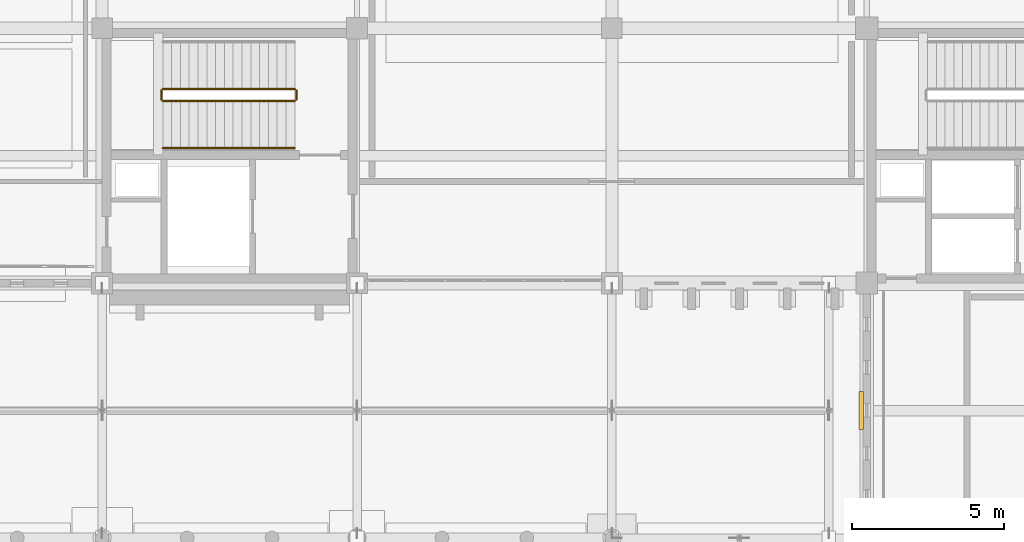
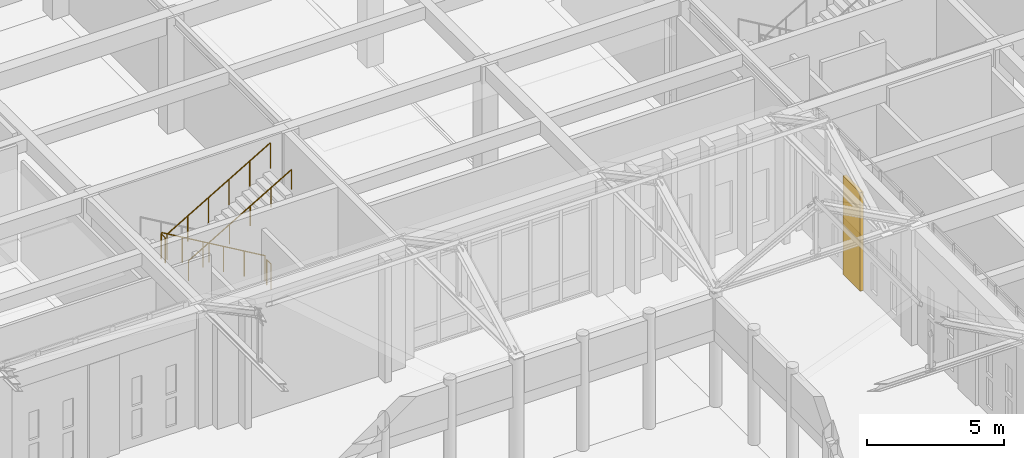
# One storey, part 138 of 143: 5 railings, 1 shading device.
"""IFC4 building model written with IfcOpenShell, lengths in metres."""

from ifc_helpers import new_model, si_unit, direction, frame, origin, origin_2d, place, context, subcontext, project, spatial, rectangle, circle, extrude, material, layer, layer_set, type_object, element, save


model = new_model("IFC4")

# Units and contexts
model_context = context("Model", 3, precision=1e-05, world=origin(), true_north=direction((0.0, 1.0)))
body_context = subcontext(model_context, "Body", "Model", "MODEL_VIEW")
ifc_project = project(units=[si_unit("LENGTHUNIT", "METRE"), si_unit("AREAUNIT", "SQUARE_METRE"), si_unit("VOLUMEUNIT", "CUBIC_METRE"), si_unit("PLANEANGLEUNIT", "RADIAN"), si_unit("MASSUNIT", "GRAM", prefix="KILO")], contexts=[model_context])

# Site, building, storey
site_placement = place(None, origin())
site = spatial("IfcSite", under=ifc_project, at=site_placement, CompositionType="ELEMENT")
building_placement = place(site_placement, origin())
building = spatial("IfcBuilding", under=site, at=building_placement, Name="Kveldsbrygga Polytechnic", CompositionType="ELEMENT")
storey_placement = place(building_placement, origin())
storey = spatial("IfcBuildingStorey", under=building, at=storey_placement, Name="L00", CompositionType="ELEMENT", Elevation=0.0)

# Railings
ifc_material_1 = material(Name="Steel S355", Category="steel")
railing_type_1 = type_object("IfcRailingType", Name="RL-STAIR-GRD", PredefinedType="GUARDRAIL", material=ifc_material_1)
railing_1_placement = place(storey_placement, frame((107.14990234375, 90.39990234375, 0.169921875)))
element("IfcRailing", 1, at=railing_1_placement, inside=storey, type_object=railing_type_1, Name="L00 ST-5 stair guard 1", PredefinedType="GUARDRAIL", context=body_context, shape_type="SweptSolid", body=[
    extrude(circle(Radius=0.02392578125, at=origin_2d()), frame((0.0, 0.0, 1.1259765625), z_axis=(-0.862686314962, 0.0, 0.505739381477), x_axis=(0.0, -1.0, 0.0)), (0.0, 0.0, 1.0), 5.042236328125),
    extrude(circle(Radius=0.02099609375, at=origin_2d()), origin(), (0.0, 0.0, 1.0), 1.097900390625),
    extrude(circle(Radius=0.02099609375, at=origin_2d()), frame((-0.869873046875, 0.0, 0.510009765625)), (0.0, 0.0, 1.0), 1.097900390625),
    extrude(circle(Radius=0.02099609375, at=origin_2d()), frame((-1.739990234375, 0.0, 1.02001953125)), (0.0, 0.0, 1.0), 1.097900390625),
    extrude(circle(Radius=0.02099609375, at=origin_2d()), frame((-2.60986328125, 0.0, 1.530029296875)), (0.0, 0.0, 1.0), 1.097900390625),
    extrude(circle(Radius=0.02099609375, at=origin_2d()), frame((-3.47998046875, 0.0, 2.0400390625)), (0.0, 0.0, 1.0), 1.097900390625),
    extrude(circle(Radius=0.02099609375, at=origin_2d()), frame((-4.349853515625, 0.0, 2.550048828125)), (0.0, 0.0, 1.0), 1.097900390625),
])
railing_2_placement = place(storey_placement, frame((102.75, 90.35009765625, 2.719970703125)))
element("IfcRailing", 2, at=railing_2_placement, inside=storey, type_object=railing_type_1, Name="L00 ST-5 stair guard 2", PredefinedType="GUARDRAIL", context=body_context, shape_type="SweptSolid", body=[
    extrude(circle(Radius=0.02392578125, at=origin_2d()), frame((0.0, 0.0, 1.1259765625), z_axis=(0.0, -1.0, 0.0), x_axis=(1.0, 0.0, 0.0)), (0.0, 0.0, 1.0), 0.300048828125),
    extrude(circle(Radius=0.02099609375, at=origin_2d()), origin(), (0.0, 0.0, 1.0), 1.097900390625),
    extrude(circle(Radius=0.02099609375, at=origin_2d()), frame((0.0, -0.300048828125, 0.0)), (0.0, 0.0, 1.0), 1.097900390625),
])
railing_3_placement = place(storey_placement, frame((102.800048828125, 90.0, 2.889892578125)))
element("IfcRailing", 3, at=railing_3_placement, inside=storey, type_object=railing_type_1, Name="L00 ST-5 stair guard 3", PredefinedType="GUARDRAIL", context=body_context, shape_type="SweptSolid", body=[
    extrude(circle(Radius=0.02392578125, at=origin_2d()), frame((0.0, 0.0, 1.1259765625), z_axis=(0.862686314962, 0.0, 0.505739381477), x_axis=(0.0, 1.0, 0.0)), (0.0, 0.0, 1.0), 5.042236328125),
    extrude(circle(Radius=0.02099609375, at=origin_2d()), origin(), (0.0, 0.0, 1.0), 1.097900390625),
    extrude(circle(Radius=0.02099609375, at=origin_2d()), frame((0.869873046875, 0.0, 0.510009765625)), (0.0, 0.0, 1.0), 1.097900390625),
    extrude(circle(Radius=0.02099609375, at=origin_2d()), frame((1.739990234375, 0.0, 1.02001953125)), (0.0, 0.0, 1.0), 1.097900390625),
    extrude(circle(Radius=0.02099609375, at=origin_2d()), frame((2.60986328125, 0.0, 1.530029296875)), (0.0, 0.0, 1.0), 1.097900390625),
    extrude(circle(Radius=0.02099609375, at=origin_2d()), frame((3.47998046875, 0.0, 2.0400390625)), (0.0, 0.0, 1.0), 1.097900390625),
    extrude(circle(Radius=0.02099609375, at=origin_2d()), frame((4.349853515625, 0.0, 2.550048828125)), (0.0, 0.0, 1.0), 1.097900390625),
])
railing_4_placement = place(storey_placement, frame((107.199951171875, 90.35009765625, 0.0)))
element("IfcRailing", 4, at=railing_4_placement, inside=storey, type_object=railing_type_1, Name="L00 ST-5 stair guard 4", PredefinedType="GUARDRAIL", context=body_context, shape_type="SweptSolid", body=[
    extrude(circle(Radius=0.02392578125, at=origin_2d()), frame((0.0, 0.0, 1.1259765625), z_axis=(0.0, -1.0, 0.0), x_axis=(1.0, 0.0, 0.0)), (0.0, 0.0, 1.0), 0.300048828125),
    extrude(circle(Radius=0.02099609375, at=origin_2d()), origin(), (0.0, 0.0, 1.0), 1.097900390625),
    extrude(circle(Radius=0.02099609375, at=origin_2d()), frame((0.0, -0.300048828125, 0.0)), (0.0, 0.0, 1.0), 1.097900390625),
])
railing_type_2 = type_object("IfcRailingType", Name="RL-STAIR-HND", PredefinedType="HANDRAIL", material=ifc_material_1)
railing_5_placement = place(storey_placement, frame((102.800048828125, 88.449951171875, 2.889892578125)))
element("IfcRailing", 5, at=railing_5_placement, inside=storey, type_object=railing_type_2, Name="L00 ST-5 stair handrail 2", PredefinedType="HANDRAIL", context=body_context, shape_type="SweptSolid", body=[
    extrude(circle(Radius=0.02392578125, at=origin_2d()), frame((0.0, 0.0, 0.8759765625), z_axis=(0.862686314962, 0.0, 0.505739381477), x_axis=(0.0, 1.0, 0.0)), (0.0, 0.0, 1.0), 5.042236328125),
    extrude(circle(Radius=0.02099609375, at=origin_2d()), origin(), (0.0, 0.0, 1.0), 0.847900390625),
    extrude(circle(Radius=0.02099609375, at=origin_2d()), frame((0.869873046875, 0.0, 0.510009765625)), (0.0, 0.0, 1.0), 0.847900390625),
    extrude(circle(Radius=0.02099609375, at=origin_2d()), frame((1.739990234375, 0.0, 1.02001953125)), (0.0, 0.0, 1.0), 0.847900390625),
    extrude(circle(Radius=0.02099609375, at=origin_2d()), frame((2.60986328125, 0.0, 1.530029296875)), (0.0, 0.0, 1.0), 0.847900390625),
    extrude(circle(Radius=0.02099609375, at=origin_2d()), frame((3.47998046875, 0.0, 2.0400390625)), (0.0, 0.0, 1.0), 0.847900390625),
    extrude(circle(Radius=0.02099609375, at=origin_2d()), frame((4.349853515625, 0.0, 2.550048828125)), (0.0, 0.0, 1.0), 0.847900390625),
])

# Shading device
ifc_material_2 = material(Name="Fired clay brick masonry M10", Category="masonry")
ifc_layer = layer(ifc_material_2, 0.139892578125)
ifc_layer_set = layer_set([ifc_layer], Name="Fired clay brick masonry M10")
shading_device_type = type_object("IfcShadingDeviceType", Name="SCR-BRICK-1400", PredefinedType="SHUTTER", material=ifc_layer_set)
shading_device_placement = place(storey_placement, frame((125.820068359375, 79.8076171875, 0.0), z_axis=(0.0, 0.0, 1.0), x_axis=(0.0, 1.0, 0.0)))
element("IfcShadingDevice", 6, at=shading_device_placement, inside=storey, type_object=shading_device_type, Name="Perforated Brick Screen Hood L00-Y-15-09", PredefinedType="SHUTTER", context=body_context, shape_type="SweptSolid", body=[
    extrude(rectangle(XDim=1.260009765625, YDim=0.139892578125, at=origin_2d()), origin(), (0.0, 0.0, 1.0), 4.389892578125),
])

save(model, "model.ifc")
